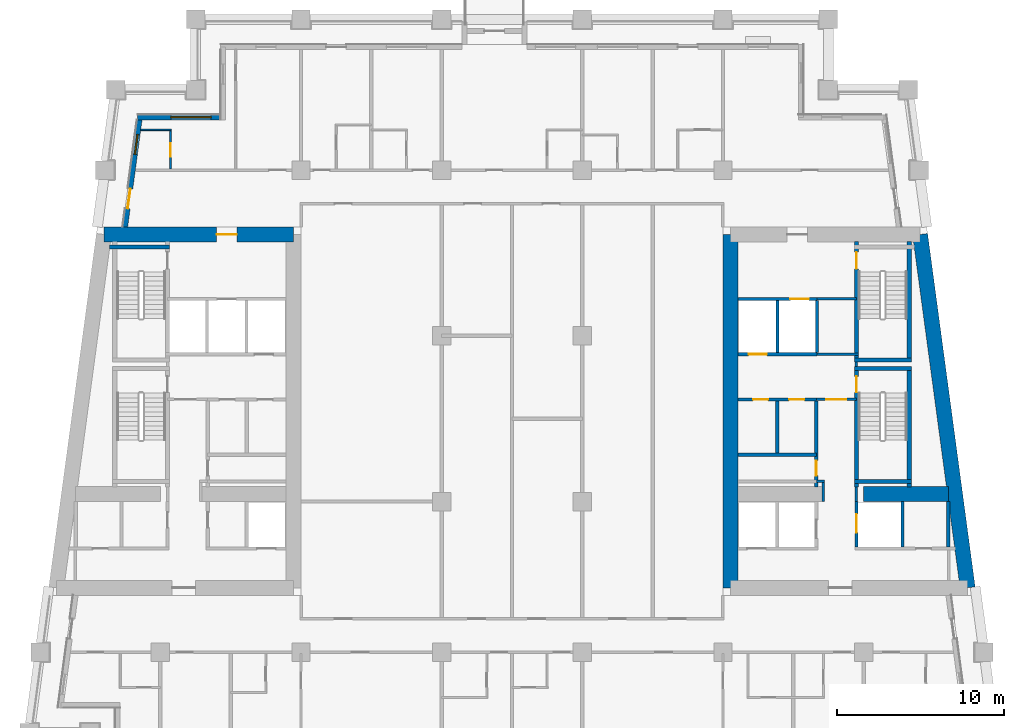
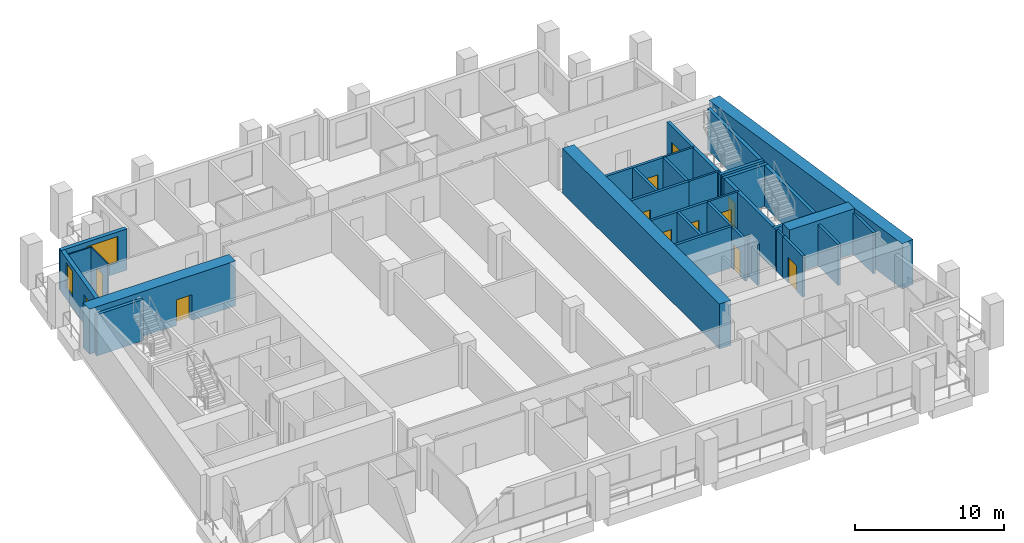
# One storey, part 5 of 12: 34 walls, 12 doors, 2 windows, 14 openings.
"""IFC4 building model written with IfcOpenShell, lengths in metres."""

from ifc_helpers import new_model, si_unit, direction, frame, frame_2d, origin, place, context, subcontext, project, spatial, rectangle, extrude, material, layer, layer_set, type_object, element, fill, save


model = new_model("IFC4")

# Units and contexts
model_context = context("Model", 3, precision=1e-05, world=origin(), true_north=direction((0.0, 1.0)))
body_context = subcontext(model_context, "Body", "Model", "MODEL_VIEW")
ifc_project = project(units=[si_unit("LENGTHUNIT", "METRE"), si_unit("AREAUNIT", "SQUARE_METRE"), si_unit("VOLUMEUNIT", "CUBIC_METRE"), si_unit("PLANEANGLEUNIT", "RADIAN"), si_unit("MASSUNIT", "GRAM", prefix="KILO")], contexts=[model_context])

# Site, building, storey
site_placement = place(None, origin())
site = spatial("IfcSite", under=ifc_project, at=site_placement, CompositionType="ELEMENT")
building_placement = place(site_placement, origin())
building = spatial("IfcBuilding", under=site, at=building_placement, Name="Candeia Pilgrim Tower and Theatre", CompositionType="ELEMENT")
storey_placement = place(building_placement, frame((0.0, 0.0, 162.60009765625)))
storey = spatial("IfcBuildingStorey", under=building, at=storey_placement, Name="L38", CompositionType="ELEMENT", Elevation=162.60009765625)

# Wall, opening, door
ifc_material_1 = material(Name="Concrete C60/75", Category="concrete")
ifc_layer_1 = layer(ifc_material_1, 0.89990234375)
ifc_layer_set_1 = layer_set([ifc_layer_1], Name="Core wall 900 C60/75")
wall_type_1 = type_object("IfcWallType", Name="Core wall 900 C60/75", PredefinedType="SHEAR", material=ifc_layer_set_1)
wall_1_placement = place(storey_placement, frame((89.024169921875, 131.949951171875, 0.0), z_axis=(0.0, 0.0, 1.0), x_axis=(1.0, 0.0, 0.0)))
wall_1 = element("IfcWall", 1, at=wall_1_placement, inside=storey, type_object=wall_type_1, Name="Core wall W1", PredefinedType="SHEAR", context=body_context, shape_type="SweptSolid", body=[
    extrude(rectangle(XDim=11.325927734375, YDim=0.89990234375, at=frame_2d((5.6630859375, 0.0))), origin(), (0.0, 0.0, 1.0), 3.699951171875),
])
opening_1_placement = place(wall_1_placement, frame((6.7392578125, 0.0, 0.0)))
opening_1 = element("IfcOpeningElement", 2, at=opening_1_placement, cuts=wall_1, Name="Opening L38-D057", PredefinedType="OPENING", context=body_context, shape_type="SweptSolid", body=[
    extrude(rectangle(XDim=1.199951171875, YDim=2.10009765625, at=frame_2d((0.60009765625, 1.050048828125))), frame((0.0, 0.4599609375, 0.0), z_axis=(0.0, -1.0, 0.0), x_axis=(1.0, 0.0, 0.0)), (0.0, 0.0, 1.0), 0.919921875),
])
ifc_material_2 = material(Name="Steel fire door set", Category="steel")
door_type_1 = type_object("IfcDoorType", Name="D-1200-FD60", OperationType="NOTDEFINED", PredefinedType="DOOR", material=ifc_material_2)
door_1_placement = place(opening_1_placement, origin())
door_1 = element("IfcDoor", 3, at=door_1_placement, inside=storey, type_object=door_type_1, Name="Door L38-D057", OperationType="SINGLE_SWING_LEFT", OverallHeight=2.10009765625, OverallWidth=1.199951171875, PredefinedType="DOOR", context=body_context, shape_type="SweptSolid", body=[
    extrude(rectangle(XDim=1.199951171875, YDim=2.10009765625, at=frame_2d((0.60009765625, 1.050048828125))), frame((0.0, 0.02490234375, 0.0), z_axis=(0.0, -1.0, 0.0), x_axis=(1.0, 0.0, 0.0)), (0.0, 0.0, 1.0), 0.050048828125),
])
fill(opening_1, door_1)

# Walls
wall_2_placement = place(storey_placement, frame((137.775634765625, 131.949951171875, 0.0), z_axis=(0.0, 0.0, 1.0), x_axis=(0.133421759112, -0.991059349482, 0.0)))
element("IfcWall", 4, at=wall_2_placement, inside=storey, type_object=wall_type_1, Name="Core wall E2", PredefinedType="SHEAR", context=body_context, shape_type="SweptSolid", body=[
    extrude(rectangle(XDim=21.290283203125, YDim=0.89990234375, at=frame_2d((10.64501953125, 0.0))), origin(), (0.0, 0.0, 1.0), 3.699951171875),
])
wall_3_placement = place(storey_placement, frame((126.449951171875, 110.85009765625, 0.0), z_axis=(0.0, 0.0, 1.0), x_axis=(0.0, 1.0, 0.0)))
element("IfcWall", 5, at=wall_3_placement, inside=storey, type_object=wall_type_1, Name="Core wall E4", PredefinedType="SHEAR", context=body_context, shape_type="SweptSolid", body=[
    extrude(rectangle(XDim=21.099853515625, YDim=0.89990234375, at=frame_2d((10.5498046875, 0.0))), origin(), (0.0, 0.0, 1.0), 3.699951171875),
])
wall_4_placement = place(storey_placement, frame((134.39990234375, 116.449951171875, 0.0), z_axis=(0.0, 0.0, 1.0), x_axis=(1.0, 0.0, 0.0)))
element("IfcWall", 6, at=wall_4_placement, inside=storey, type_object=wall_type_1, Name="Core wall E6", PredefinedType="SHEAR", context=body_context, shape_type="SweptSolid", body=[
    extrude(rectangle(XDim=5.076904296875, YDim=0.89990234375, at=frame_2d((2.53857421875, 0.0))), origin(), (0.0, 0.0, 1.0), 3.699951171875),
])

# Wall, opening, window
ifc_material_3 = material(Name="Ceramic block masonry", Category="masonry")
ifc_layer_2 = layer(ifc_material_3, 0.300048828125)
ifc_layer_set_2 = layer_set([ifc_layer_2], Name="EW1 glazing-line wall 300")
wall_type_2 = type_object("IfcWallType", Name="EW1 glazing-line wall 300", PredefinedType="SOLIDWALL", material=ifc_layer_set_2)
wall_5_placement = place(storey_placement, frame((96.14990234375, 138.949951171875, 0.0), z_axis=(0.0, 0.0, 1.0), x_axis=(-1.0, 0.0, 0.0)))
wall_5 = element("IfcWall", 7, at=wall_5_placement, inside=storey, type_object=wall_type_2, Name="External wall L38-8.0", PredefinedType="SOLIDWALL", context=body_context, shape_type="SweptSolid", body=[
    extrude(rectangle(XDim=5.103759765625, YDim=0.300048828125, at=frame_2d((2.5517578125, 0.0))), origin(), (0.0, 0.0, 1.0), 3.3798828125),
])
opening_2_placement = place(wall_5_placement, frame((0.72509765625, 0.0, 0.89990234375)))
opening_2 = element("IfcOpeningElement", 8, at=opening_2_placement, cuts=wall_5, Name="Opening W-A", PredefinedType="OPENING", context=body_context, shape_type="SweptSolid", body=[
    extrude(rectangle(XDim=2.39990234375, YDim=2.10009765625, at=frame_2d((1.199951171875, 1.050048828125))), frame((0.0, 0.16015625, 0.0), z_axis=(0.0, -1.0, 0.0), x_axis=(1.0, 0.0, 0.0)), (0.0, 0.0, 1.0), 0.320068359375),
])
ifc_material_4 = material(Name="Aluminium framed double glazing", Category="aluminium")
window_type_1 = type_object("IfcWindowType", Name="W-A window 2400x2100", PartitioningType="DOUBLE_PANEL_VERTICAL", PredefinedType="WINDOW", material=ifc_material_4)
window_1_placement = place(opening_2_placement, origin())
window_1 = element("IfcWindow", 9, at=window_1_placement, inside=storey, type_object=window_type_1, Name="Window W-A L38", OverallHeight=2.10009765625, OverallWidth=2.39990234375, PartitioningType="SINGLE_PANEL", PredefinedType="WINDOW", context=body_context, shape_type="SweptSolid", body=[
    extrude(rectangle(XDim=2.39990234375, YDim=2.10009765625, at=frame_2d((1.199951171875, 1.050048828125))), frame((0.0, 0.030029296875, 0.0), z_axis=(0.0, -1.0, 0.0), x_axis=(1.0, 0.0, 0.0)), (0.0, 0.0, 1.0), 0.06005859375),
])
fill(opening_2, window_1)

# Wall, openings, door, window
wall_6_placement = place(storey_placement, frame((91.177490234375, 138.949951171875, 0.0), z_axis=(0.0, 0.0, 1.0), x_axis=(-0.133426664613, -0.991058689065, 0.0)))
wall_6 = element("IfcWall", 10, at=wall_6_placement, inside=storey, type_object=wall_type_2, Name="External wall L38-9.0", PredefinedType="SOLIDWALL", context=body_context, shape_type="SweptSolid", body=[
    extrude(rectangle(XDim=6.609130859375, YDim=0.300048828125, at=frame_2d((3.3046875, 0.0))), origin(), (0.0, 0.0, 1.0), 3.3798828125),
])
opening_3_placement = place(wall_6_placement, frame((1.039306640625, 0.0, 0.89990234375)))
opening_3 = element("IfcOpeningElement", 11, at=opening_3_placement, cuts=wall_6, Name="Opening W-B", PredefinedType="OPENING", context=body_context, shape_type="SweptSolid", body=[
    extrude(rectangle(XDim=1.199951171875, YDim=2.10009765625, at=frame_2d((0.60009765625, 1.050048828125))), frame((0.0, 0.16015625, 0.0), z_axis=(0.0, -1.0, 0.0), x_axis=(1.0, 0.0, 0.0)), (0.0, 0.0, 1.0), 0.320068359375),
])
opening_4_placement = place(wall_6_placement, frame((4.293701171875, 0.0, 0.0)))
opening_4 = element("IfcOpeningElement", 12, at=opening_4_placement, cuts=wall_6, Name="Opening L38-ED370", PredefinedType="OPENING", context=body_context, shape_type="SweptSolid", body=[
    extrude(rectangle(XDim=1.199951171875, YDim=2.39990234375, at=frame_2d((0.60009765625, 1.199951171875))), frame((0.0, 0.16015625, 0.0), z_axis=(0.0, -1.0, 0.0), x_axis=(1.0, 0.0, 0.0)), (0.0, 0.0, 1.0), 0.320068359375),
])
ifc_material_5 = material(Name="Aluminium framed glazed door", Category="aluminium")
door_type_2 = type_object("IfcDoorType", Name="Loggia door 1200x2400", OperationType="DOUBLE_DOOR_SINGLE_SWING", PredefinedType="DOOR", material=ifc_material_5)
door_2_placement = place(opening_4_placement, origin())
door_2 = element("IfcDoor", 13, at=door_2_placement, inside=storey, type_object=door_type_2, Name="Loggia door L38-ED370", OperationType="DOUBLE_DOOR_SINGLE_SWING", OverallHeight=2.39990234375, OverallWidth=1.199951171875, PredefinedType="DOOR", context=body_context, shape_type="SweptSolid", body=[
    extrude(rectangle(XDim=1.199951171875, YDim=2.39990234375, at=frame_2d((0.60009765625, 1.199951171875))), frame((0.0, 0.02490234375, 0.0), z_axis=(0.0, -1.0, 0.0), x_axis=(1.0, 0.0, 0.0)), (0.0, 0.0, 1.0), 0.050048828125),
])
fill(opening_4, door_2)
window_type_2 = type_object("IfcWindowType", Name="W-B window 1200x2100", PartitioningType="SINGLE_PANEL", PredefinedType="WINDOW", material=ifc_material_4)
window_2_placement = place(opening_3_placement, origin())
window_2 = element("IfcWindow", 14, at=window_2_placement, inside=storey, type_object=window_type_2, Name="Window W-B L38", OverallHeight=2.10009765625, OverallWidth=1.199951171875, PartitioningType="SINGLE_PANEL", PredefinedType="WINDOW", context=body_context, shape_type="SweptSolid", body=[
    extrude(rectangle(XDim=1.199951171875, YDim=2.10009765625, at=frame_2d((0.60009765625, 1.050048828125))), frame((0.0, 0.030029296875, 0.0), z_axis=(0.0, -1.0, 0.0), x_axis=(1.0, 0.0, 0.0)), (0.0, 0.0, 1.0), 0.06005859375),
])
fill(opening_3, window_2)

# Wall
ifc_material_6 = material(Name="Gypsum board partition on steel studs", Category="steel")
ifc_layer_3 = layer(ifc_material_6, 0.10009765625)
ifc_layer_set_3 = layer_set([ifc_layer_3], Name="PW-100 room partition")
wall_type_3 = type_object("IfcWallType", Name="PW-100 room partition", PredefinedType="PARTITIONING", material=ifc_layer_set_3)
wall_7_placement = place(storey_placement, frame((91.2177734375, 138.199951171875, 0.0), z_axis=(0.0, 0.0, 1.0), x_axis=(1.0, 0.0, 0.0)))
element("IfcWall", 15, at=wall_7_placement, inside=storey, type_object=wall_type_3, Name="Room partition L38-043", PredefinedType="PARTITIONING", context=body_context, shape_type="SweptSolid", body=[
    extrude(rectangle(XDim=1.832275390625, YDim=0.10009765625, at=frame_2d((0.916015625, 0.0))), origin(), (0.0, 0.0, 1.0), 3.3798828125),
])

# Wall, opening, door
wall_8_placement = place(storey_placement, frame((93.0, 135.875, 0.0), z_axis=(0.0, 0.0, 1.0), x_axis=(0.0, 1.0, 0.0)))
wall_8 = element("IfcWall", 16, at=wall_8_placement, inside=storey, type_object=wall_type_3, Name="Room partition L38-060", PredefinedType="PARTITIONING", context=body_context, shape_type="SweptSolid", body=[
    extrude(rectangle(XDim=2.27490234375, YDim=0.10009765625, at=frame_2d((1.137451171875, 0.0))), origin(), (0.0, 0.0, 1.0), 3.3798828125),
])
opening_5_placement = place(wall_8_placement, frame((0.72509765625, 0.0, 0.0)))
opening_5 = element("IfcOpeningElement", 17, at=opening_5_placement, cuts=wall_8, Name="Opening L38-D036", PredefinedType="OPENING", context=body_context, shape_type="SweptSolid", body=[
    extrude(rectangle(XDim=0.800048828125, YDim=2.10009765625, at=frame_2d((0.39990234375, 1.050048828125))), frame((0.0, 0.06005859375, 0.0), z_axis=(0.0, -1.0, 0.0), x_axis=(1.0, 0.0, 0.0)), (0.0, 0.0, 1.0), 0.1201171875),
])
ifc_material_7 = material(Name="Timber door leaf", Category="wood")
door_type_3 = type_object("IfcDoorType", Name="D-800", OperationType="NOTDEFINED", PredefinedType="DOOR", material=ifc_material_7)
door_3_placement = place(opening_5_placement, origin())
door_3 = element("IfcDoor", 18, at=door_3_placement, inside=storey, type_object=door_type_3, Name="Door L38-D036", OperationType="SINGLE_SWING_RIGHT", OverallHeight=2.10009765625, OverallWidth=0.800048828125, PredefinedType="DOOR", context=body_context, shape_type="SweptSolid", body=[
    extrude(rectangle(XDim=0.800048828125, YDim=2.10009765625, at=frame_2d((0.39990234375, 1.050048828125))), frame((0.0, 0.02490234375, 0.0), z_axis=(0.0, -1.0, 0.0), x_axis=(1.0, 0.0, 0.0)), (0.0, 0.0, 1.0), 0.050048828125),
])
fill(opening_5, door_3)

# Wall
ifc_layer_4 = layer(ifc_material_6, 0.14990234375)
ifc_layer_set_4 = layer_set([ifc_layer_4], Name="PW-150 lobby wall")
wall_type_4 = type_object("IfcWallType", Name="PW-150 lobby wall", PredefinedType="PARTITIONING", material=ifc_layer_set_4)
wall_9_placement = place(storey_placement, frame((131.572998046875, 117.199951171875, 0.0), z_axis=(0.0, 0.0, 1.0), x_axis=(1.0, 0.0, 0.0)))
element("IfcWall", 19, at=wall_9_placement, inside=storey, type_object=wall_type_4, Name="Lobby wall L38-017", PredefinedType="PARTITIONING", context=body_context, shape_type="SweptSolid", body=[
    extrude(rectangle(XDim=0.501953125, YDim=0.14990234375, at=frame_2d((0.2509765625, 0.0))), origin(), (0.0, 0.0, 1.0), 3.3798828125),
])

# Wall, opening, door
wall_10_placement = place(storey_placement, frame((131.572998046875, 122.10009765625, 0.0), z_axis=(0.0, 0.0, 1.0), x_axis=(1.0, 0.0, 0.0)))
wall_10 = element("IfcWall", 20, at=wall_10_placement, inside=storey, type_object=wall_type_4, Name="Lobby wall L38-026", PredefinedType="PARTITIONING", context=body_context, shape_type="SweptSolid", body=[
    extrude(rectangle(XDim=2.39990234375, YDim=0.14990234375, at=frame_2d((1.199951171875, 0.0))), origin(), (0.0, 0.0, 1.0), 3.3798828125),
])
opening_6_placement = place(wall_10_placement, frame((0.60009765625, 0.0, 0.0)))
opening_6 = element("IfcOpeningElement", 21, at=opening_6_placement, cuts=wall_10, Name="Opening L38-D010", PredefinedType="OPENING", context=body_context, shape_type="SweptSolid", body=[
    extrude(rectangle(XDim=1.199951171875, YDim=2.10009765625, at=frame_2d((0.60009765625, 1.050048828125))), frame((0.0, 0.0849609375, 0.0), z_axis=(0.0, -1.0, 0.0), x_axis=(1.0, 0.0, 0.0)), (0.0, 0.0, 1.0), 0.169921875),
])
door_4_placement = place(opening_6_placement, origin())
door_4 = element("IfcDoor", 22, at=door_4_placement, inside=storey, type_object=door_type_1, Name="Door L38-D010", OperationType="SINGLE_SWING_LEFT", OverallHeight=2.10009765625, OverallWidth=1.199951171875, PredefinedType="DOOR", context=body_context, shape_type="SweptSolid", body=[
    extrude(rectangle(XDim=1.199951171875, YDim=2.10009765625, at=frame_2d((0.60009765625, 1.050048828125))), frame((0.0, 0.02490234375, 0.0), z_axis=(0.0, -1.0, 0.0), x_axis=(1.0, 0.0, 0.0)), (0.0, 0.0, 1.0), 0.050048828125),
])
fill(opening_6, door_4)

# Walls
wall_11_placement = place(storey_placement, frame((131.615234375, 124.800048828125, 0.0), z_axis=(0.0, 0.0, 1.0), x_axis=(1.0, 0.0, 0.0)))
element("IfcWall", 23, at=wall_11_placement, inside=storey, type_object=wall_type_4, Name="Lobby wall L38-033", PredefinedType="PARTITIONING", context=body_context, shape_type="SweptSolid", body=[
    extrude(rectangle(XDim=2.482666015625, YDim=0.14990234375, at=frame_2d((1.2412109375, 0.0))), origin(), (0.0, 0.0, 1.0), 3.3798828125),
])
wall_12_placement = place(storey_placement, frame((131.615234375, 128.10009765625, 0.0), z_axis=(0.0, 0.0, 1.0), x_axis=(1.0, 0.0, 0.0)))
element("IfcWall", 24, at=wall_12_placement, inside=storey, type_object=wall_type_4, Name="Lobby wall L38-037", PredefinedType="PARTITIONING", context=body_context, shape_type="SweptSolid", body=[
    extrude(rectangle(XDim=2.357666015625, YDim=0.14990234375, at=frame_2d((1.1787109375, 0.0))), origin(), (0.0, 0.0, 1.0), 3.3798828125),
])
wall_13_placement = place(storey_placement, frame((132.0, 116.0, 0.0), z_axis=(0.0, 0.0, 1.0), x_axis=(0.0, 1.0, 0.0)))
element("IfcWall", 25, at=wall_13_placement, inside=storey, type_object=wall_type_4, Name="Lobby wall L38-106", PredefinedType="PARTITIONING", context=body_context, shape_type="SweptSolid", body=[
    extrude(rectangle(XDim=1.125, YDim=0.14990234375, at=frame_2d((0.5625, 0.0))), origin(), (0.0, 0.0, 1.0), 3.3798828125),
])
wall_14_placement = place(storey_placement, frame((133.972900390625, 116.0, 0.0), z_axis=(0.0, 0.0, 1.0), x_axis=(0.0, 1.0, 0.0)))
element("IfcWall", 26, at=wall_14_placement, inside=storey, type_object=wall_type_4, Name="Lobby wall L38-108", PredefinedType="PARTITIONING", context=body_context, shape_type="SweptSolid", body=[
    extrude(rectangle(XDim=0.8701171875, YDim=0.14990234375, at=frame_2d((0.43505859375, 0.0))), origin(), (0.0, 0.0, 1.0), 3.3798828125),
])
wall_15_placement = place(storey_placement, frame((133.972900390625, 124.074951171875, 0.0), z_axis=(0.0, 0.0, 1.0), x_axis=(0.0, 1.0, 0.0)))
element("IfcWall", 27, at=wall_15_placement, inside=storey, type_object=wall_type_4, Name="Lobby wall L38-109", PredefinedType="PARTITIONING", context=body_context, shape_type="SweptSolid", body=[
    extrude(rectangle(XDim=0.25, YDim=0.14990234375, at=frame_2d((0.125, 0.0))), origin(), (0.0, 0.0, 1.0), 3.3798828125),
])
ifc_material_8 = material(Name="Concrete C40/50", Category="concrete")
ifc_layer_5 = layer(ifc_material_8, 0.199951171875)
ifc_layer_set_5 = layer_set([ifc_layer_5], Name="SW-200 shaft wall")
wall_type_5 = type_object("IfcWallType", Name="SW-200 shaft wall", PredefinedType="PARTITIONING", material=ifc_layer_set_5)
wall_16_placement = place(storey_placement, frame((126.89990234375, 118.800048828125, 0.0), z_axis=(0.0, 0.0, 1.0), x_axis=(1.0, 0.0, 0.0)))
element("IfcWall", 28, at=wall_16_placement, inside=storey, type_object=wall_type_5, Name="Shaft wall L38-021", PredefinedType="PARTITIONING", context=body_context, shape_type="SweptSolid", body=[
    extrude(rectangle(XDim=4.673095703125, YDim=0.199951171875, at=frame_2d((2.33642578125, 0.0))), origin(), (0.0, 0.0, 1.0), 3.3798828125),
])

# Wall, openings, doors
wall_17_placement = place(storey_placement, frame((126.89990234375, 122.10009765625, 0.0), z_axis=(0.0, 0.0, 1.0), x_axis=(1.0, 0.0, 0.0)))
wall_17 = element("IfcWall", 29, at=wall_17_placement, inside=storey, type_object=wall_type_5, Name="Shaft wall L38-024", PredefinedType="PARTITIONING", context=body_context, shape_type="SweptSolid", body=[
    extrude(rectangle(XDim=4.673095703125, YDim=0.199951171875, at=frame_2d((2.33642578125, 0.0))), origin(), (0.0, 0.0, 1.0), 3.3798828125),
])
opening_7_placement = place(wall_17_placement, frame((3.054931640625, 0.0, 0.0)))
opening_7 = element("IfcOpeningElement", 30, at=opening_7_placement, cuts=wall_17, Name="Opening L38-D011", PredefinedType="OPENING", context=body_context, shape_type="SweptSolid", body=[
    extrude(rectangle(XDim=0.89990234375, YDim=2.10009765625, at=frame_2d((0.449951171875, 1.050048828125))), frame((0.0, 0.10986328125, 0.0), z_axis=(0.0, -1.0, 0.0), x_axis=(1.0, 0.0, 0.0)), (0.0, 0.0, 1.0), 0.219970703125),
])
opening_8_placement = place(wall_17_placement, frame((0.902099609375, 0.0, 0.0)))
opening_8 = element("IfcOpeningElement", 31, at=opening_8_placement, cuts=wall_17, Name="Opening L38-D012", PredefinedType="OPENING", context=body_context, shape_type="SweptSolid", body=[
    extrude(rectangle(XDim=0.89990234375, YDim=2.10009765625, at=frame_2d((0.449951171875, 1.050048828125))), frame((0.0, 0.10986328125, 0.0), z_axis=(0.0, -1.0, 0.0), x_axis=(1.0, 0.0, 0.0)), (0.0, 0.0, 1.0), 0.219970703125),
])
door_type_4 = type_object("IfcDoorType", Name="D-900-FD60", OperationType="NOTDEFINED", PredefinedType="DOOR", material=ifc_material_2)
door_5_placement = place(opening_7_placement, origin())
door_5 = element("IfcDoor", 32, at=door_5_placement, inside=storey, type_object=door_type_4, Name="Door L38-D011", OperationType="SINGLE_SWING_RIGHT", OverallHeight=2.10009765625, OverallWidth=0.89990234375, PredefinedType="DOOR", context=body_context, shape_type="SweptSolid", body=[
    extrude(rectangle(XDim=0.89990234375, YDim=2.10009765625, at=frame_2d((0.449951171875, 1.050048828125))), frame((0.0, 0.02490234375, 0.0), z_axis=(0.0, -1.0, 0.0), x_axis=(1.0, 0.0, 0.0)), (0.0, 0.0, 1.0), 0.050048828125),
])
fill(opening_7, door_5)
door_6_placement = place(opening_8_placement, origin())
door_6 = element("IfcDoor", 33, at=door_6_placement, inside=storey, type_object=door_type_4, Name="Door L38-D012", OperationType="SINGLE_SWING_LEFT", OverallHeight=2.10009765625, OverallWidth=0.89990234375, PredefinedType="DOOR", context=body_context, shape_type="SweptSolid", body=[
    extrude(rectangle(XDim=0.89990234375, YDim=2.10009765625, at=frame_2d((0.449951171875, 1.050048828125))), frame((0.0, 0.02490234375, 0.0), z_axis=(0.0, -1.0, 0.0), x_axis=(1.0, 0.0, 0.0)), (0.0, 0.0, 1.0), 0.050048828125),
])
fill(opening_8, door_6)

# Wall, opening, door
wall_18_placement = place(storey_placement, frame((126.89990234375, 124.800048828125, 0.0), z_axis=(0.0, 0.0, 1.0), x_axis=(1.0, 0.0, 0.0)))
wall_18 = element("IfcWall", 34, at=wall_18_placement, inside=storey, type_object=wall_type_5, Name="Shaft wall L38-032", PredefinedType="PARTITIONING", context=body_context, shape_type="SweptSolid", body=[
    extrude(rectangle(XDim=4.71533203125, YDim=0.199951171875, at=frame_2d((2.357666015625, 0.0))), origin(), (0.0, 0.0, 1.0), 3.3798828125),
])
opening_9_placement = place(wall_18_placement, frame((0.62890625, 0.0, 0.0)))
opening_9 = element("IfcOpeningElement", 35, at=opening_9_placement, cuts=wall_18, Name="Opening L38-LD05", PredefinedType="OPENING", context=body_context, shape_type="SweptSolid", body=[
    extrude(rectangle(XDim=1.10009765625, YDim=2.10009765625, at=frame_2d((0.550048828125, 1.050048828125))), frame((0.0, 0.10986328125, 0.0), z_axis=(0.0, -1.0, 0.0), x_axis=(1.0, 0.0, 0.0)), (0.0, 0.0, 1.0), 0.219970703125),
])
ifc_material_9 = material(Name="Glazed aluminium landing door", Category="aluminium")
door_type_5 = type_object("IfcDoorType", Name="LD-1100-EI120", OperationType="SLIDING_TO_LEFT", PredefinedType="DOOR", material=ifc_material_9)
door_7_placement = place(opening_9_placement, origin())
door_7 = element("IfcDoor", 36, at=door_7_placement, inside=storey, type_object=door_type_5, Name="Landing door 05 L38", OperationType="SLIDING_TO_LEFT", OverallHeight=2.10009765625, OverallWidth=1.10009765625, PredefinedType="DOOR", context=body_context, shape_type="SweptSolid", body=[
    extrude(rectangle(XDim=1.10009765625, YDim=2.10009765625, at=frame_2d((0.550048828125, 1.050048828125))), frame((0.0, 0.02490234375, 0.0), z_axis=(0.0, -1.0, 0.0), x_axis=(1.0, 0.0, 0.0)), (0.0, 0.0, 1.0), 0.050048828125),
])
fill(opening_9, door_7)

wall_19_placement = place(storey_placement, frame((126.89990234375, 128.10009765625, 0.0), z_axis=(0.0, 0.0, 1.0), x_axis=(1.0, 0.0, 0.0)))
wall_19 = element("IfcWall", 37, at=wall_19_placement, inside=storey, type_object=wall_type_5, Name="Shaft wall L38-036", PredefinedType="PARTITIONING", context=body_context, shape_type="SweptSolid", body=[
    extrude(rectangle(XDim=4.71533203125, YDim=0.199951171875, at=frame_2d((2.357666015625, 0.0))), origin(), (0.0, 0.0, 1.0), 3.3798828125),
])
opening_10_placement = place(wall_19_placement, frame((3.1259765625, 0.0, 0.0)))
opening_10 = element("IfcOpeningElement", 38, at=opening_10_placement, cuts=wall_19, Name="Opening L38-LD04", PredefinedType="OPENING", context=body_context, shape_type="SweptSolid", body=[
    extrude(rectangle(XDim=1.10009765625, YDim=2.10009765625, at=frame_2d((0.550048828125, 1.050048828125))), frame((0.0, 0.10986328125, 0.0), z_axis=(0.0, -1.0, 0.0), x_axis=(1.0, 0.0, 0.0)), (0.0, 0.0, 1.0), 0.219970703125),
])
door_8_placement = place(opening_10_placement, origin())
door_8 = element("IfcDoor", 39, at=door_8_placement, inside=storey, type_object=door_type_5, Name="Landing door 04 L38", OperationType="SLIDING_TO_LEFT", OverallHeight=2.10009765625, OverallWidth=1.10009765625, PredefinedType="DOOR", context=body_context, shape_type="SweptSolid", body=[
    extrude(rectangle(XDim=1.10009765625, YDim=2.10009765625, at=frame_2d((0.550048828125, 1.050048828125))), frame((0.0, 0.02490234375, 0.0), z_axis=(0.0, -1.0, 0.0), x_axis=(1.0, 0.0, 0.0)), (0.0, 0.0, 1.0), 0.050048828125),
])
fill(opening_10, door_8)

# Walls
for number, where, z_axis, x_axis, name in (
    (40, (129.236572265625, 118.89990234375, 0.0), (0.0, 0.0, 1.0), (0.0, 1.0, 0.0), "Shaft wall L38-099"),
    (41, (129.2578125, 124.89990234375, 0.0), (0.0, 0.0, 1.0), (0.0, 1.0, 0.0), "Shaft wall L38-100"),
):
    element("IfcWall", number, at=place(storey_placement, frame(where, z_axis=z_axis, x_axis=x_axis)), inside=storey, type_object=wall_type_5, Name=name, PredefinedType="PARTITIONING", context=body_context, shape_type="SweptSolid", body=[
        extrude(rectangle(XDim=3.10009765625, YDim=0.199951171875, at=frame_2d((1.550048828125, 0.0))), origin(), (0.0, 0.0, 1.0), 3.3798828125),
    ])

# Wall, opening, door
wall_20_placement = place(storey_placement, frame((131.572998046875, 116.8701171875, 0.0), z_axis=(0.0, 0.0, 1.0), x_axis=(0.0, 1.0, 0.0)))
wall_20 = element("IfcWall", 42, at=wall_20_placement, inside=storey, type_object=wall_type_5, Name="Shaft wall L38-103", PredefinedType="PARTITIONING", context=body_context, shape_type="SweptSolid", body=[
    extrude(rectangle(XDim=5.1298828125, YDim=0.199951171875, at=frame_2d((2.56494140625, 0.0))), origin(), (0.0, 0.0, 1.0), 3.3798828125),
])
opening_11_placement = place(wall_20_placement, frame((0.679931640625, 0.0, 0.0)))
opening_11 = element("IfcOpeningElement", 43, at=opening_11_placement, cuts=wall_20, Name="Opening L38-D015", PredefinedType="OPENING", context=body_context, shape_type="SweptSolid", body=[
    extrude(rectangle(XDim=0.89990234375, YDim=2.10009765625, at=frame_2d((0.449951171875, 1.050048828125))), frame((0.0, 0.10986328125, 0.0), z_axis=(0.0, -1.0, 0.0), x_axis=(1.0, 0.0, 0.0)), (0.0, 0.0, 1.0), 0.219970703125),
])
door_9_placement = place(opening_11_placement, origin())
door_9 = element("IfcDoor", 44, at=door_9_placement, inside=storey, type_object=door_type_4, Name="Door L38-D015", OperationType="SINGLE_SWING_RIGHT", OverallHeight=2.10009765625, OverallWidth=0.89990234375, PredefinedType="DOOR", context=body_context, shape_type="SweptSolid", body=[
    extrude(rectangle(XDim=0.89990234375, YDim=2.10009765625, at=frame_2d((0.449951171875, 1.050048828125))), frame((0.0, 0.02490234375, 0.0), z_axis=(0.0, -1.0, 0.0), x_axis=(1.0, 0.0, 0.0)), (0.0, 0.0, 1.0), 0.050048828125),
])
fill(opening_11, door_9)

# Wall
wall_21_placement = place(storey_placement, frame((131.615234375, 124.89990234375, 0.0), z_axis=(0.0, 0.0, 1.0), x_axis=(0.0, 1.0, 0.0)))
element("IfcWall", 45, at=wall_21_placement, inside=storey, type_object=wall_type_5, Name="Shaft wall L38-104", PredefinedType="PARTITIONING", context=body_context, shape_type="SweptSolid", body=[
    extrude(rectangle(XDim=3.10009765625, YDim=0.199951171875, at=frame_2d((1.550048828125, 0.0))), origin(), (0.0, 0.0, 1.0), 3.3798828125),
])

# Wall, opening, door
wall_22_placement = place(storey_placement, frame((133.972900390625, 113.300048828125, 0.0), z_axis=(0.0, 0.0, 1.0), x_axis=(0.0, 1.0, 0.0)))
wall_22 = element("IfcWall", 46, at=wall_22_placement, inside=storey, type_object=wall_type_5, Name="Shaft wall L38-107", PredefinedType="PARTITIONING", context=body_context, shape_type="SweptSolid", body=[
    extrude(rectangle(XDim=2.699951171875, YDim=0.199951171875, at=frame_2d((1.35009765625, 0.0))), origin(), (0.0, 0.0, 1.0), 3.3798828125),
])
opening_12_placement = place(wall_22_placement, frame((0.85009765625, 0.0, 0.0)))
opening_12 = element("IfcOpeningElement", 47, at=opening_12_placement, cuts=wall_22, Name="Opening L38-LD06", PredefinedType="OPENING", context=body_context, shape_type="SweptSolid", body=[
    extrude(rectangle(XDim=1.10009765625, YDim=2.10009765625, at=frame_2d((0.550048828125, 1.050048828125))), frame((0.0, 0.10986328125, 0.0), z_axis=(0.0, -1.0, 0.0), x_axis=(1.0, 0.0, 0.0)), (0.0, 0.0, 1.0), 0.219970703125),
])
door_10_placement = place(opening_12_placement, origin())
door_10 = element("IfcDoor", 48, at=door_10_placement, inside=storey, type_object=door_type_5, Name="Landing door 06 L38", OperationType="SLIDING_TO_LEFT", OverallHeight=2.10009765625, OverallWidth=1.10009765625, PredefinedType="DOOR", context=body_context, shape_type="SweptSolid", body=[
    extrude(rectangle(XDim=1.10009765625, YDim=2.10009765625, at=frame_2d((0.550048828125, 1.050048828125))), frame((0.0, 0.02490234375, 0.0), z_axis=(0.0, -1.0, 0.0), x_axis=(1.0, 0.0, 0.0)), (0.0, 0.0, 1.0), 0.050048828125),
])
fill(opening_12, door_10)

# Walls
for number, where, z_axis, x_axis, name in (
    (49, (136.722412109375, 113.300048828125, 0.0), (0.0, 0.0, 1.0), (0.0, 1.0, 0.0), "Shaft wall L38-113"),
    (50, (139.44970703125, 113.300048828125, 0.0), (0.0, 0.0, 1.0), (0.0, 1.0, 0.0), "Shaft wall L38-117"),
):
    element("IfcWall", number, at=place(storey_placement, frame(where, z_axis=z_axis, x_axis=x_axis)), inside=storey, type_object=wall_type_5, Name=name, PredefinedType="PARTITIONING", context=body_context, shape_type="SweptSolid", body=[
        extrude(rectangle(XDim=2.699951171875, YDim=0.199951171875, at=frame_2d((1.35009765625, 0.0))), origin(), (0.0, 0.0, 1.0), 3.3798828125),
    ])
ifc_layer_6 = layer(ifc_material_8, 0.25)
ifc_layer_set_6 = layer_set([ifc_layer_6], Name="SW-250 stair wall")
wall_type_6 = type_object("IfcWallType", Name="SW-250 stair wall", PredefinedType="PARTITIONING", material=ifc_layer_set_6)
for number, where, z_axis, x_axis, name in (
    (51, (133.847900390625, 117.199951171875, 0.0), (0.0, 0.0, 1.0), (1.0, 0.0, 0.0), "Stair wall L38-019"),
    (52, (133.847900390625, 123.949951171875, 0.0), (0.0, 0.0, 1.0), (1.0, 0.0, 0.0), "Stair wall L38-028"),
    (53, (133.847900390625, 124.449951171875, 0.0), (0.0, 0.0, 1.0), (1.0, 0.0, 0.0), "Stair wall L38-030"),
):
    element("IfcWall", number, at=place(storey_placement, frame(where, z_axis=z_axis, x_axis=x_axis)), inside=storey, type_object=wall_type_6, Name=name, PredefinedType="PARTITIONING", context=body_context, shape_type="SweptSolid", body=[
        extrude(rectangle(XDim=3.400146484375, YDim=0.25, at=frame_2d((1.7001953125, 0.0))), origin(), (0.0, 0.0, 1.0), 3.3798828125),
    ])
wall_23_placement = place(storey_placement, frame((89.347412109375, 131.199951171875, 0.0), z_axis=(0.0, 0.0, 1.0), x_axis=(1.0, 0.0, 0.0)))
element("IfcWall", 54, at=wall_23_placement, inside=storey, type_object=wall_type_6, Name="Stair wall L38-038", PredefinedType="PARTITIONING", context=body_context, shape_type="SweptSolid", body=[
    extrude(rectangle(XDim=3.6044921875, YDim=0.25, at=frame_2d((1.80224609375, 0.0))), origin(), (0.0, 0.0, 1.0), 3.3798828125),
])

# Wall, opening, door
wall_24_placement = place(storey_placement, frame((133.972900390625, 116.8701171875, 0.0), z_axis=(0.0, 0.0, 1.0), x_axis=(0.0, 1.0, 0.0)))
wall_24 = element("IfcWall", 55, at=wall_24_placement, inside=storey, type_object=wall_type_6, Name="Stair wall L38-110", PredefinedType="PARTITIONING", context=body_context, shape_type="SweptSolid", body=[
    extrude(rectangle(XDim=6.954833984375, YDim=0.25, at=frame_2d((3.4775390625, 0.0))), origin(), (0.0, 0.0, 1.0), 3.3798828125),
])
opening_13_placement = place(wall_24_placement, frame((5.655029296875, 0.0, 0.0)))
opening_13 = element("IfcOpeningElement", 56, at=opening_13_placement, cuts=wall_24, Name="Opening L38-D013", PredefinedType="OPENING", context=body_context, shape_type="SweptSolid", body=[
    extrude(rectangle(XDim=0.949951171875, YDim=2.10009765625, at=frame_2d((0.47509765625, 1.050048828125))), frame((0.0, 0.135009765625, 0.0), z_axis=(0.0, -1.0, 0.0), x_axis=(1.0, 0.0, 0.0)), (0.0, 0.0, 1.0), 0.27001953125),
])
door_type_6 = type_object("IfcDoorType", Name="D-950-FD60", OperationType="NOTDEFINED", PredefinedType="DOOR", material=ifc_material_2)
door_11_placement = place(opening_13_placement, origin())
door_11 = element("IfcDoor", 57, at=door_11_placement, inside=storey, type_object=door_type_6, Name="Door L38-D013", OperationType="SINGLE_SWING_RIGHT", OverallHeight=2.10009765625, OverallWidth=0.949951171875, PredefinedType="DOOR", context=body_context, shape_type="SweptSolid", body=[
    extrude(rectangle(XDim=0.949951171875, YDim=2.10009765625, at=frame_2d((0.47509765625, 1.050048828125))), frame((0.0, 0.02490234375, 0.0), z_axis=(0.0, -1.0, 0.0), x_axis=(1.0, 0.0, 0.0)), (0.0, 0.0, 1.0), 0.050048828125),
])
fill(opening_13, door_11)

wall_25_placement = place(storey_placement, frame((133.972900390625, 124.574951171875, 0.0), z_axis=(0.0, 0.0, 1.0), x_axis=(0.0, 1.0, 0.0)))
wall_25 = element("IfcWall", 58, at=wall_25_placement, inside=storey, type_object=wall_type_6, Name="Stair wall L38-111", PredefinedType="PARTITIONING", context=body_context, shape_type="SweptSolid", body=[
    extrude(rectangle(XDim=6.955078125, YDim=0.25, at=frame_2d((3.4775390625, 0.0))), origin(), (0.0, 0.0, 1.0), 3.3798828125),
])
opening_14_placement = place(wall_25_placement, frame((5.324951171875, 0.0, 0.0)))
opening_14 = element("IfcOpeningElement", 59, at=opening_14_placement, cuts=wall_25, Name="Opening L38-D014", PredefinedType="OPENING", context=body_context, shape_type="SweptSolid", body=[
    extrude(rectangle(XDim=1.0, YDim=2.10009765625, at=frame_2d((0.5, 1.050048828125))), frame((0.0, 0.135009765625, 0.0), z_axis=(0.0, -1.0, 0.0), x_axis=(1.0, 0.0, 0.0)), (0.0, 0.0, 1.0), 0.27001953125),
])
door_type_7 = type_object("IfcDoorType", Name="D-1000-FD60", OperationType="NOTDEFINED", PredefinedType="DOOR", material=ifc_material_2)
door_12_placement = place(opening_14_placement, origin())
door_12 = element("IfcDoor", 60, at=door_12_placement, inside=storey, type_object=door_type_7, Name="Door L38-D014", OperationType="SINGLE_SWING_LEFT", OverallHeight=2.10009765625, OverallWidth=1.0, PredefinedType="DOOR", context=body_context, shape_type="SweptSolid", body=[
    extrude(rectangle(XDim=1.0, YDim=2.10009765625, at=frame_2d((0.5, 1.050048828125))), frame((0.0, 0.02490234375, 0.0), z_axis=(0.0, -1.0, 0.0), x_axis=(1.0, 0.0, 0.0)), (0.0, 0.0, 1.0), 0.050048828125),
])
fill(opening_14, door_12)

# Walls
wall_26_placement = place(storey_placement, frame((137.123046875, 116.8701171875, 0.0), z_axis=(0.0, 0.0, 1.0), x_axis=(0.0, 1.0, 0.0)))
element("IfcWall", 61, at=wall_26_placement, inside=storey, type_object=wall_type_6, Name="Stair wall L38-114", PredefinedType="PARTITIONING", context=body_context, shape_type="SweptSolid", body=[
    extrude(rectangle(XDim=6.954833984375, YDim=0.25, at=frame_2d((3.4775390625, 0.0))), origin(), (0.0, 0.0, 1.0), 3.3798828125),
])
wall_27_placement = place(storey_placement, frame((137.123046875, 124.574951171875, 0.0), z_axis=(0.0, 0.0, 1.0), x_axis=(0.0, 1.0, 0.0)))
element("IfcWall", 62, at=wall_27_placement, inside=storey, type_object=wall_type_6, Name="Stair wall L38-115", PredefinedType="PARTITIONING", context=body_context, shape_type="SweptSolid", body=[
    extrude(rectangle(XDim=6.955078125, YDim=0.25, at=frame_2d((3.4775390625, 0.0))), origin(), (0.0, 0.0, 1.0), 3.3798828125),
])

save(model, "model.ifc")
